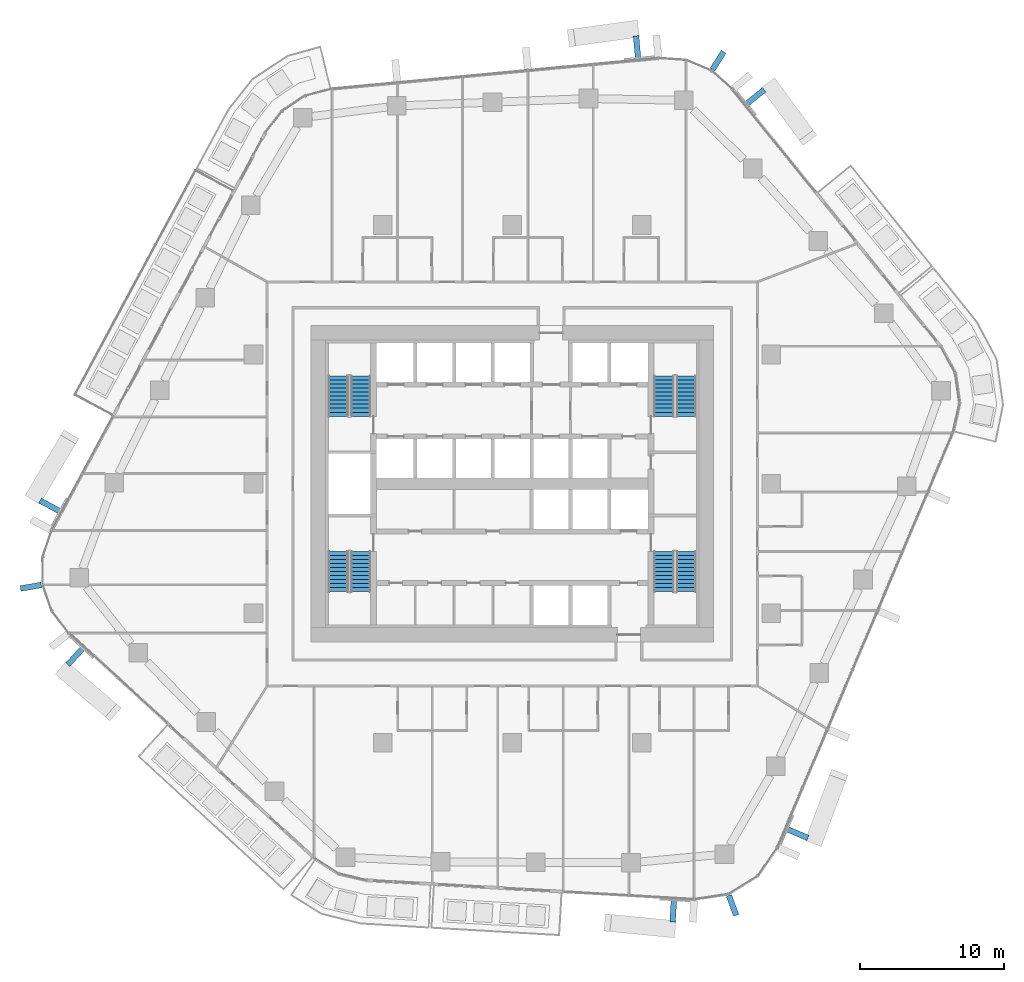
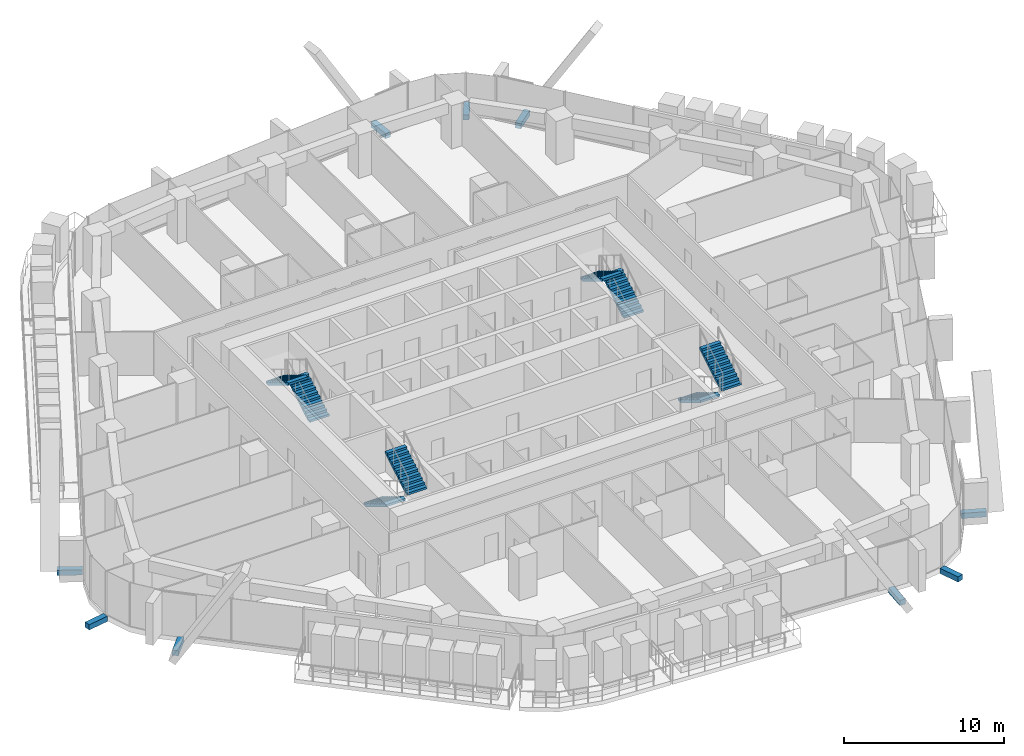
# One storey, part 17 of 23: 9 discrete accessories, 8 stair flights, 4 elements without a shape of their own.
"""IFC4 building model written with IfcOpenShell, lengths in metres."""

from ifc_helpers import new_model, si_unit, direction, frame, origin, origin_2d, place, context, subcontext, project, spatial, polyline, rectangle, outline, extrude, material, layer, layer_set, type_object, element, aggregate, save


model = new_model("IFC4")

# Units and contexts
model_context = context("Model", 3, precision=1e-05, world=origin(), true_north=direction((0.0, 1.0)))
body_context = subcontext(model_context, "Body", "Model", "MODEL_VIEW")
ifc_project = project(units=[si_unit("LENGTHUNIT", "METRE"), si_unit("AREAUNIT", "SQUARE_METRE"), si_unit("VOLUMEUNIT", "CUBIC_METRE"), si_unit("PLANEANGLEUNIT", "RADIAN"), si_unit("MASSUNIT", "GRAM", prefix="KILO")], contexts=[model_context])

# Site, building, storey
site_placement = place(None, origin())
site = spatial("IfcSite", under=ifc_project, at=site_placement, CompositionType="ELEMENT")
building_placement = place(site_placement, origin())
building = spatial("IfcBuilding", under=site, at=building_placement, Name="Dongbaek Canopy Tower", CompositionType="ELEMENT")
storey_placement = place(building_placement, frame((0.0, 0.0, 121.10009765625)))
storey = spatial("IfcBuildingStorey", under=building, at=storey_placement, Name="L26", CompositionType="ELEMENT", Elevation=121.10009765625)

# Stair, stair flights
ifc_material_1 = material(Name="Concrete C40/50", Category="concrete")
stair_type = type_object("IfcStairType", Name="Core exit stair", PredefinedType="HALF_TURN_STAIR", material=ifc_material_1)
stair_1_placement = place(storey_placement, origin())
stair_1 = element("IfcStair", 1, at=stair_1_placement, inside=storey, type_object=stair_type, Name="L26 exit stair A", PredefinedType="HALF_TURN_STAIR")
ifc_material_2 = material(Name="Concrete C40/50", Category="concrete")
ifc_layer = layer(ifc_material_2, 0.14990234375)
ifc_layer_set = layer_set([ifc_layer], Name="Core stair flight 150 waist")
stair_flight_type = type_object("IfcStairFlightType", Name="Core stair flight 150 waist", PredefinedType="STRAIGHT", material=ifc_layer_set)
stair_flight_1_placement = place(storey_placement, frame((12.10009765625, 4.699951171875, 0.0), z_axis=(0.0, 0.0, 1.0), x_axis=(0.0, 1.0, 0.0)))
stair_flight_1 = element("IfcStairFlight", 2, at=stair_flight_1_placement, type_object=stair_flight_type, Name="ST-A flight 1", NumberOfRisers=11, NumberOfTreads=10, PredefinedType="STRAIGHT", RiserHeight=0.168181818, TreadLength=0.28, context=body_context, shape_type="SweptSolid", body=[
    extrude(outline(polyline([(0.0, 0.0), (0.0, 0.168212890625), (0.280029296875, 0.168212890625), (0.280029296875, 0.33642578125), (0.56005859375, 0.33642578125), (0.56005859375, 0.504638671875), (0.840087890625, 0.504638671875), (0.840087890625, 0.672607421875), (1.1201171875, 0.672607421875), (1.1201171875, 0.8408203125), (1.39990234375, 0.8408203125), (1.39990234375, 1.009033203125), (1.679931640625, 1.009033203125), (1.679931640625, 1.17724609375), (1.9599609375, 1.17724609375), (1.9599609375, 1.345458984375), (2.239990234375, 1.345458984375), (2.239990234375, 1.513671875), (2.52001953125, 1.513671875), (2.52001953125, 1.681884765625), (2.800048828125, 1.681884765625), (2.800048828125, 1.85009765625), (2.800048828125, 1.5068359375), (0.291015625, 0.0), (0.0, 0.0)])), frame((0.0, 0.699951171875, 0.0), z_axis=(0.0, -1.0, 0.0), x_axis=(1.0, 0.0, 0.0)), (0.0, 0.0, 1.0), 1.39990234375),
])
stair_flight_2_placement = place(storey_placement, frame((10.550048828125, 7.5, 1.849853515625), z_axis=(0.0, 0.0, 1.0), x_axis=(0.0, -1.0, 0.0)))
stair_flight_2 = element("IfcStairFlight", 3, at=stair_flight_2_placement, type_object=stair_flight_type, Name="ST-A flight 2", NumberOfRisers=11, NumberOfTreads=10, PredefinedType="STRAIGHT", RiserHeight=0.168181818, TreadLength=0.28, context=body_context, shape_type="SweptSolid", body=[
    extrude(outline(polyline([(0.0, 0.0), (0.0, 0.168212890625), (0.280029296875, 0.168212890625), (0.280029296875, 0.33642578125), (0.56005859375, 0.33642578125), (0.56005859375, 0.504638671875), (0.840087890625, 0.504638671875), (0.840087890625, 0.672607421875), (1.1201171875, 0.672607421875), (1.1201171875, 0.8408203125), (1.39990234375, 0.8408203125), (1.39990234375, 1.009033203125), (1.679931640625, 1.009033203125), (1.679931640625, 1.17724609375), (1.9599609375, 1.17724609375), (1.9599609375, 1.345458984375), (2.239990234375, 1.345458984375), (2.239990234375, 1.513671875), (2.52001953125, 1.513671875), (2.52001953125, 1.681884765625), (2.800048828125, 1.681884765625), (2.800048828125, 1.85009765625), (2.800048828125, 1.5068359375), (0.291015625, 0.0), (0.0, 0.0)])), frame((0.0, 0.699951171875, 0.0), z_axis=(0.0, -1.0, 0.0), x_axis=(1.0, 0.0, 0.0)), (0.0, 0.0, 1.0), 1.39990234375),
])
aggregate(stair_1, [stair_flight_1, stair_flight_2])

stair_2_placement = place(storey_placement, origin())
stair_2 = element("IfcStair", 4, at=stair_2_placement, inside=storey, type_object=stair_type, Name="L26 exit stair C", PredefinedType="HALF_TURN_STAIR")
stair_flight_3_placement = place(storey_placement, frame((-10.550048828125, 4.699951171875, 0.0), z_axis=(0.0, 0.0, 1.0), x_axis=(0.0, 1.0, 0.0)))
stair_flight_3 = element("IfcStairFlight", 5, at=stair_flight_3_placement, type_object=stair_flight_type, Name="ST-C flight 1", NumberOfRisers=11, NumberOfTreads=10, PredefinedType="STRAIGHT", RiserHeight=0.168181818, TreadLength=0.28, context=body_context, shape_type="SweptSolid", body=[
    extrude(outline(polyline([(0.0, 0.0), (0.0, 0.168212890625), (0.280029296875, 0.168212890625), (0.280029296875, 0.33642578125), (0.56005859375, 0.33642578125), (0.56005859375, 0.504638671875), (0.840087890625, 0.504638671875), (0.840087890625, 0.672607421875), (1.1201171875, 0.672607421875), (1.1201171875, 0.8408203125), (1.39990234375, 0.8408203125), (1.39990234375, 1.009033203125), (1.679931640625, 1.009033203125), (1.679931640625, 1.17724609375), (1.9599609375, 1.17724609375), (1.9599609375, 1.345458984375), (2.239990234375, 1.345458984375), (2.239990234375, 1.513671875), (2.52001953125, 1.513671875), (2.52001953125, 1.681884765625), (2.800048828125, 1.681884765625), (2.800048828125, 1.85009765625), (2.800048828125, 1.5068359375), (0.291015625, 0.0), (0.0, 0.0)])), frame((0.0, 0.699951171875, 0.0), z_axis=(0.0, -1.0, 0.0), x_axis=(1.0, 0.0, 0.0)), (0.0, 0.0, 1.0), 1.39990234375),
])
stair_flight_4_placement = place(storey_placement, frame((-12.10009765625, 7.5, 1.849853515625), z_axis=(0.0, 0.0, 1.0), x_axis=(0.0, -1.0, 0.0)))
stair_flight_4 = element("IfcStairFlight", 6, at=stair_flight_4_placement, type_object=stair_flight_type, Name="ST-C flight 2", NumberOfRisers=11, NumberOfTreads=10, PredefinedType="STRAIGHT", RiserHeight=0.168181818, TreadLength=0.28, context=body_context, shape_type="SweptSolid", body=[
    extrude(outline(polyline([(0.0, 0.0), (0.0, 0.168212890625), (0.280029296875, 0.168212890625), (0.280029296875, 0.33642578125), (0.56005859375, 0.33642578125), (0.56005859375, 0.504638671875), (0.840087890625, 0.504638671875), (0.840087890625, 0.672607421875), (1.1201171875, 0.672607421875), (1.1201171875, 0.8408203125), (1.39990234375, 0.8408203125), (1.39990234375, 1.009033203125), (1.679931640625, 1.009033203125), (1.679931640625, 1.17724609375), (1.9599609375, 1.17724609375), (1.9599609375, 1.345458984375), (2.239990234375, 1.345458984375), (2.239990234375, 1.513671875), (2.52001953125, 1.513671875), (2.52001953125, 1.681884765625), (2.800048828125, 1.681884765625), (2.800048828125, 1.85009765625), (2.800048828125, 1.5068359375), (0.291015625, 0.0), (0.0, 0.0)])), frame((0.0, 0.699951171875, 0.0), z_axis=(0.0, -1.0, 0.0), x_axis=(1.0, 0.0, 0.0)), (0.0, 0.0, 1.0), 1.39990234375),
])
aggregate(stair_2, [stair_flight_3, stair_flight_4])

stair_3_placement = place(storey_placement, origin())
stair_3 = element("IfcStair", 7, at=stair_3_placement, inside=storey, type_object=stair_type, Name="L26 exit stair B", PredefinedType="HALF_TURN_STAIR")
stair_flight_5_placement = place(storey_placement, frame((10.550048828125, -4.699951171875, 0.0), z_axis=(0.0, 0.0, 1.0), x_axis=(0.0, -1.0, 0.0)))
stair_flight_5 = element("IfcStairFlight", 8, at=stair_flight_5_placement, type_object=stair_flight_type, Name="ST-B flight 1", NumberOfRisers=11, NumberOfTreads=10, PredefinedType="STRAIGHT", RiserHeight=0.168181818, TreadLength=0.28, context=body_context, shape_type="SweptSolid", body=[
    extrude(outline(polyline([(0.0, 0.0), (0.0, 0.168212890625), (0.280029296875, 0.168212890625), (0.280029296875, 0.33642578125), (0.56005859375, 0.33642578125), (0.56005859375, 0.504638671875), (0.840087890625, 0.504638671875), (0.840087890625, 0.672607421875), (1.1201171875, 0.672607421875), (1.1201171875, 0.8408203125), (1.39990234375, 0.8408203125), (1.39990234375, 1.009033203125), (1.679931640625, 1.009033203125), (1.679931640625, 1.17724609375), (1.9599609375, 1.17724609375), (1.9599609375, 1.345458984375), (2.239990234375, 1.345458984375), (2.239990234375, 1.513671875), (2.52001953125, 1.513671875), (2.52001953125, 1.681884765625), (2.800048828125, 1.681884765625), (2.800048828125, 1.85009765625), (2.800048828125, 1.5068359375), (0.291015625, 0.0), (0.0, 0.0)])), frame((0.0, 0.699951171875, 0.0), z_axis=(0.0, -1.0, 0.0), x_axis=(1.0, 0.0, 0.0)), (0.0, 0.0, 1.0), 1.39990234375),
])
stair_flight_6_placement = place(storey_placement, frame((12.10009765625, -7.5, 1.849853515625), z_axis=(0.0, 0.0, 1.0), x_axis=(0.0, 1.0, 0.0)))
stair_flight_6 = element("IfcStairFlight", 9, at=stair_flight_6_placement, type_object=stair_flight_type, Name="ST-B flight 2", NumberOfRisers=11, NumberOfTreads=10, PredefinedType="STRAIGHT", RiserHeight=0.168181818, TreadLength=0.28, context=body_context, shape_type="SweptSolid", body=[
    extrude(outline(polyline([(0.0, 0.0), (0.0, 0.168212890625), (0.280029296875, 0.168212890625), (0.280029296875, 0.33642578125), (0.56005859375, 0.33642578125), (0.56005859375, 0.504638671875), (0.840087890625, 0.504638671875), (0.840087890625, 0.672607421875), (1.1201171875, 0.672607421875), (1.1201171875, 0.8408203125), (1.39990234375, 0.8408203125), (1.39990234375, 1.009033203125), (1.679931640625, 1.009033203125), (1.679931640625, 1.17724609375), (1.9599609375, 1.17724609375), (1.9599609375, 1.345458984375), (2.239990234375, 1.345458984375), (2.239990234375, 1.513671875), (2.52001953125, 1.513671875), (2.52001953125, 1.681884765625), (2.800048828125, 1.681884765625), (2.800048828125, 1.85009765625), (2.800048828125, 1.5068359375), (0.291015625, 0.0), (0.0, 0.0)])), frame((0.0, 0.699951171875, 0.0), z_axis=(0.0, -1.0, 0.0), x_axis=(1.0, 0.0, 0.0)), (0.0, 0.0, 1.0), 1.39990234375),
])
aggregate(stair_3, [stair_flight_5, stair_flight_6])

stair_4_placement = place(storey_placement, origin())
stair_4 = element("IfcStair", 10, at=stair_4_placement, inside=storey, type_object=stair_type, Name="L26 exit stair D", PredefinedType="HALF_TURN_STAIR")
stair_flight_7_placement = place(storey_placement, frame((-12.10009765625, -4.699951171875, 0.0), z_axis=(0.0, 0.0, 1.0), x_axis=(0.0, -1.0, 0.0)))
stair_flight_7 = element("IfcStairFlight", 11, at=stair_flight_7_placement, type_object=stair_flight_type, Name="ST-D flight 1", NumberOfRisers=11, NumberOfTreads=10, PredefinedType="STRAIGHT", RiserHeight=0.168181818, TreadLength=0.28, context=body_context, shape_type="SweptSolid", body=[
    extrude(outline(polyline([(0.0, 0.0), (0.0, 0.168212890625), (0.280029296875, 0.168212890625), (0.280029296875, 0.33642578125), (0.56005859375, 0.33642578125), (0.56005859375, 0.504638671875), (0.840087890625, 0.504638671875), (0.840087890625, 0.672607421875), (1.1201171875, 0.672607421875), (1.1201171875, 0.8408203125), (1.39990234375, 0.8408203125), (1.39990234375, 1.009033203125), (1.679931640625, 1.009033203125), (1.679931640625, 1.17724609375), (1.9599609375, 1.17724609375), (1.9599609375, 1.345458984375), (2.239990234375, 1.345458984375), (2.239990234375, 1.513671875), (2.52001953125, 1.513671875), (2.52001953125, 1.681884765625), (2.800048828125, 1.681884765625), (2.800048828125, 1.85009765625), (2.800048828125, 1.5068359375), (0.291015625, 0.0), (0.0, 0.0)])), frame((0.0, 0.699951171875, 0.0), z_axis=(0.0, -1.0, 0.0), x_axis=(1.0, 0.0, 0.0)), (0.0, 0.0, 1.0), 1.39990234375),
])
stair_flight_8_placement = place(storey_placement, frame((-10.550048828125, -7.5, 1.849853515625), z_axis=(0.0, 0.0, 1.0), x_axis=(0.0, 1.0, 0.0)))
stair_flight_8 = element("IfcStairFlight", 12, at=stair_flight_8_placement, type_object=stair_flight_type, Name="ST-D flight 2", NumberOfRisers=11, NumberOfTreads=10, PredefinedType="STRAIGHT", RiserHeight=0.168181818, TreadLength=0.28, context=body_context, shape_type="SweptSolid", body=[
    extrude(outline(polyline([(0.0, 0.0), (0.0, 0.168212890625), (0.280029296875, 0.168212890625), (0.280029296875, 0.33642578125), (0.56005859375, 0.33642578125), (0.56005859375, 0.504638671875), (0.840087890625, 0.504638671875), (0.840087890625, 0.672607421875), (1.1201171875, 0.672607421875), (1.1201171875, 0.8408203125), (1.39990234375, 0.8408203125), (1.39990234375, 1.009033203125), (1.679931640625, 1.009033203125), (1.679931640625, 1.17724609375), (1.9599609375, 1.17724609375), (1.9599609375, 1.345458984375), (2.239990234375, 1.345458984375), (2.239990234375, 1.513671875), (2.52001953125, 1.513671875), (2.52001953125, 1.681884765625), (2.800048828125, 1.681884765625), (2.800048828125, 1.85009765625), (2.800048828125, 1.5068359375), (0.291015625, 0.0), (0.0, 0.0)])), frame((0.0, 0.699951171875, 0.0), z_axis=(0.0, -1.0, 0.0), x_axis=(1.0, 0.0, 0.0)), (0.0, 0.0, 1.0), 1.39990234375),
])
aggregate(stair_4, [stair_flight_7, stair_flight_8])

# Discrete accessories
ifc_material_3 = material(Name="Galvanised steel S355 bracket", Category="steel")
discrete_accessory_type = type_object("IfcDiscreteAccessoryType", Name="Crease fin bracket BR3 400", PredefinedType="BRACKET", material=ifc_material_3)
discrete_accessory_1_placement = place(storey_placement, frame((16.897216796875, 26.90966796875, -0.400146484375), z_axis=(0.0, 0.0, 1.0), x_axis=(0.777161338423, 0.629301401604, 0.0)))
element("IfcDiscreteAccessory", 13, at=discrete_accessory_1_placement, inside=storey, type_object=discrete_accessory_type, Name="Crease fin bracket L26 F0", PredefinedType="BRACKET", context=body_context, shape_type="SweptSolid", body=[
    extrude(rectangle(XDim=1.592529296875, YDim=0.39990234375, at=origin_2d()), origin(), (0.0, 0.0, 1.0), 0.39990234375),
])
discrete_accessory_2_placement = place(storey_placement, frame((8.677490234375, 30.369140625, -0.400146484375), z_axis=(0.0, 0.0, 1.0), x_axis=(-0.093397617783, 0.995628889191, 0.0)))
element("IfcDiscreteAccessory", 14, at=discrete_accessory_2_placement, inside=storey, type_object=discrete_accessory_type, Name="Crease fin bracket L26 F1", PredefinedType="BRACKET", context=body_context, shape_type="SweptSolid", body=[
    extrude(rectangle(XDim=1.5888671875, YDim=0.39990234375, at=origin_2d()), origin(), (0.0, 0.0, 1.0), 0.39990234375),
])
discrete_accessory_3_placement = place(storey_placement, frame((-32.142333984375, -1.540283203125, -0.400146484375), z_axis=(0.0, 0.0, 1.0), x_axis=(-0.88084281997, 0.473408836533, 0.0)))
element("IfcDiscreteAccessory", 15, at=discrete_accessory_3_placement, inside=storey, type_object=discrete_accessory_type, Name="Crease fin bracket L26 F2", PredefinedType="BRACKET", context=body_context, shape_type="SweptSolid", body=[
    extrude(rectangle(XDim=1.591064453125, YDim=0.39990234375, at=origin_2d()), origin(), (0.0, 0.0, 1.0), 0.39990234375),
])
discrete_accessory_4_placement = place(storey_placement, frame((-30.382080078125, -11.99072265625, -0.400146484375), z_axis=(0.0, 0.0, 1.0), x_axis=(-0.675980011014, -0.736919958143, 0.0)))
element("IfcDiscreteAccessory", 16, at=discrete_accessory_4_placement, inside=storey, type_object=discrete_accessory_type, Name="Crease fin bracket L26 F3", PredefinedType="BRACKET", context=body_context, shape_type="SweptSolid", body=[
    extrude(rectangle(XDim=1.573974609375, YDim=0.39990234375, at=origin_2d()), origin(), (0.0, 0.0, 1.0), 0.39990234375),
])
discrete_accessory_5_placement = place(storey_placement, frame((11.194580078125, -29.6904296875, -0.400146484375), z_axis=(0.0, 0.0, 1.0), x_axis=(-0.057753951351, -0.998330847517, 0.0)))
element("IfcDiscreteAccessory", 17, at=discrete_accessory_5_placement, inside=storey, type_object=discrete_accessory_type, Name="Crease fin bracket L26 F4", PredefinedType="BRACKET", context=body_context, shape_type="SweptSolid", body=[
    extrude(rectangle(XDim=1.577392578125, YDim=0.39990234375, at=origin_2d()), origin(), (0.0, 0.0, 1.0), 0.39990234375),
])
discrete_accessory_6_placement = place(storey_placement, frame((19.822509765625, -24.313720703125, -0.400146484375), z_axis=(0.0, 0.0, 1.0), x_axis=(0.920957733069, -0.389662487162, 0.0)))
element("IfcDiscreteAccessory", 18, at=discrete_accessory_6_placement, inside=storey, type_object=discrete_accessory_type, Name="Crease fin bracket L26 F5", PredefinedType="BRACKET", context=body_context, shape_type="SweptSolid", body=[
    extrude(rectangle(XDim=1.59765625, YDim=0.39990234375, at=origin_2d()), origin(), (0.0, 0.0, 1.0), 0.39990234375),
])
for number, where, z_axis, x_axis, name in (
    (19, (14.31201171875, 29.434814453125, -0.400146484375), (0.0, 0.0, 1.0), (0.533090407429, 0.846058282571, 0.0), "Corner fin bracket L26 K1"),
    (20, (-33.48095703125, -7.153564453125, -0.400146484375), (0.0, 0.0, 1.0), (-0.985975946341, -0.16688748676, 0.0), "Corner fin bracket L26 K3"),
    (21, (15.318115234375, -29.317626953125, -0.400146484375), (0.0, 0.0, 1.0), (0.34445122323, -0.93880421538, 0.0), "Corner fin bracket L26 K5"),
):
    element("IfcDiscreteAccessory", number, at=place(storey_placement, frame(where, z_axis=z_axis, x_axis=x_axis)), inside=storey, type_object=discrete_accessory_type, Name=name, PredefinedType="BRACKET", context=body_context, shape_type="SweptSolid", body=[
        extrude(rectangle(XDim=1.469970703125, YDim=0.39990234375, at=origin_2d()), origin(), (0.0, 0.0, 1.0), 0.39990234375),
    ])

save(model, "model.ifc")
